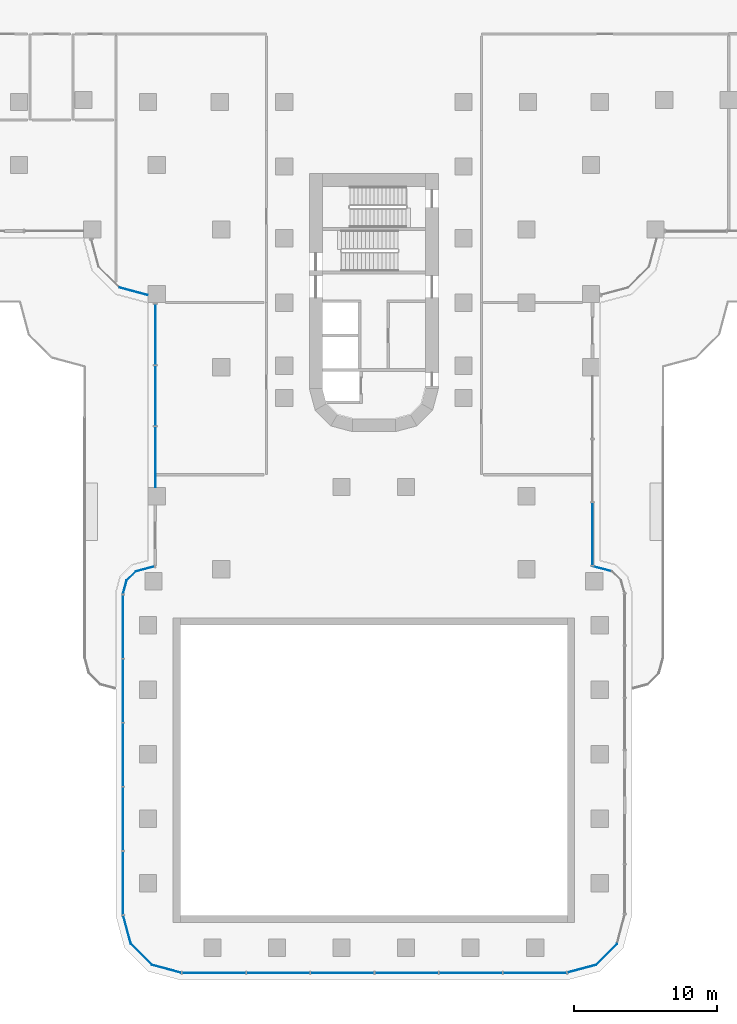
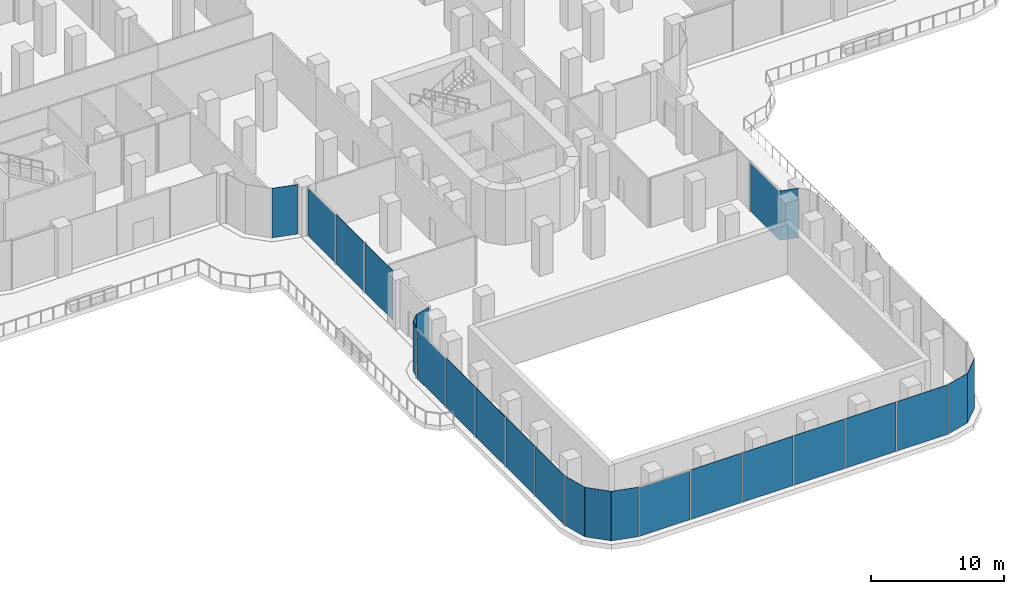
# One storey, part 10 of 27: 25 plates, 14 elements without a shape of their own.
"""IFC4 building model written with IfcOpenShell, lengths in metres."""

import ifcopenshell
import ifcopenshell.guid

model = None  # the IFC model being written
_history = None  # IfcOwnerHistory: only IFC2X3 demands one
_inside = {}  # id of a spatial element -> (the spatial element, [elements in it])
_under = {}  # id of a project, library or spatial element -> (it, [spatial elements below it])
_declared = {}  # id of a project -> (the project, [libraries it declares])
_typed = {}  # id of a type object -> (the type object, [elements of that type])
_made_of = {}  # id of a material, layer set ... -> (it, [elements and type objects made of it])


def new_model(schema):
    """Start an empty IFC model of exactly this schema.

    Asked for "IFC4X3", IfcOpenShell would pick the latest addendum, in which some entities
    have other attributes; the version numbers below select the first issue.
    IFC2X3 requires an IfcOwnerHistory on every rooted entity: one is made here for all.
    """
    global model, _history
    if schema == "IFC4X3":
        model = ifcopenshell.file(schema_version=(4, 3, 0, 0))
    else:
        model = ifcopenshell.file(schema=schema)
    _inside.clear()
    _under.clear()
    _declared.clear()
    _typed.clear()
    _made_of.clear()
    _history = None
    if model.schema == "IFC2X3":
        org = make("IfcOrganization", Name="unknown")
        user = make(
            "IfcPersonAndOrganization",
            ThePerson=make("IfcPerson", FamilyName="unknown"),
            TheOrganization=org,
        )
        app = make(
            "IfcApplication",
            ApplicationDeveloper=org,
            Version="unknown",
            ApplicationFullName="unknown",
            ApplicationIdentifier="unknown",
        )
        _history = make(
            "IfcOwnerHistory",
            OwningUser=user,
            OwningApplication=app,
            ChangeAction="ADDED",
            CreationDate=0,
        )
    return model


def make(cls, **values):
    """One entity of the class cls with the attributes given. An attribute that is None is left unset."""
    return model.create_entity(
        cls, **{name: value for name, value in values.items() if value is not None}
    )


def rooted(cls, **values):
    """An entity with a GlobalId (a new one), such as an element, a storey or a relation."""
    return make(cls, GlobalId=ifcopenshell.guid.new(), OwnerHistory=_history, **values)


def si_unit(unit_type, name, prefix=None):
    """IfcSIUnit, for example si_unit("LENGTHUNIT", "METRE", prefix="MILLI")."""
    return make("IfcSIUnit", UnitType=unit_type, Prefix=prefix, Name=name)


def assignment(units):
    """IfcUnitAssignment: the units of a project."""
    return None if units is None else make("IfcUnitAssignment", Units=units)


def point(xyz):
    """IfcCartesianPoint."""
    return None if xyz is None else make("IfcCartesianPoint", Coordinates=xyz)


def direction(xyz):
    """IfcDirection."""
    return None if xyz is None else make("IfcDirection", DirectionRatios=xyz)


def frame(location, z_axis=None, x_axis=None):
    """IfcAxis2Placement3D, a coordinate frame: its origin and axes. An axis left out is left unset."""
    return make(
        "IfcAxis2Placement3D",
        Location=point(location),
        Axis=direction(z_axis),
        RefDirection=direction(x_axis),
    )


def origin():
    """The frame at (0, 0, 0) with its axes left unset."""
    return frame((0.0, 0.0, 0.0))


def place(relative_to, where):
    """IfcLocalPlacement: puts the frame where relative to a parent placement (None: the world)."""
    return make(
        "IfcLocalPlacement", PlacementRelTo=relative_to, RelativePlacement=where
    )


def context(
    kind, dimensions, precision=None, world=None, true_north=None, identifier=None
):
    """IfcGeometricRepresentationContext, for example the 3D "Model" context."""
    return make(
        "IfcGeometricRepresentationContext",
        ContextIdentifier=identifier,
        ContextType=kind,
        CoordinateSpaceDimension=dimensions,
        Precision=precision,
        WorldCoordinateSystem=world,
        TrueNorth=true_north,
    )


def subcontext(parent, identifier, kind, view, scale=None):
    """IfcGeometricRepresentationSubContext, for example "Body" below "Model"."""
    return make(
        "IfcGeometricRepresentationSubContext",
        ContextIdentifier=identifier,
        ContextType=kind,
        ParentContext=parent,
        TargetScale=scale,
        TargetView=view,
    )


def project(units=None, contexts=None):
    """IfcProject with its units and contexts."""
    return rooted(
        "IfcProject",
        Name="project",
        RepresentationContexts=contexts,
        UnitsInContext=assignment(units),
    )


def spatial(cls, under=None, at=None, **own):
    """A site, building, storey or space (cls), placed at a placement, below another one or the project."""
    s = rooted(cls, ObjectPlacement=at, **own)
    if under is not None:
        _under.setdefault(under.id(), (under, []))[1].append(s)
    return s


def polyline(points):
    """IfcPolyline through the points."""
    return make("IfcPolyline", Points=[point(p) for p in points])


def outline(outer, holes=None, kind="AREA"):
    """IfcArbitraryClosedProfileDef: a profile drawn as a closed curve; with holes, ...WithVoids."""
    if holes is None:
        return make("IfcArbitraryClosedProfileDef", ProfileType=kind, OuterCurve=outer)
    return make(
        "IfcArbitraryProfileDefWithVoids",
        ProfileType=kind,
        OuterCurve=outer,
        InnerCurves=holes,
    )


def extrude(swept, where, along, depth):
    """IfcExtrudedAreaSolid: the profile swept, set in the frame where, extruded along a direction by depth."""
    return make(
        "IfcExtrudedAreaSolid",
        SweptArea=swept,
        Position=where,
        ExtrudedDirection=direction(along),
        Depth=depth,
    )


def shape(context_of_items, identifier, shape_type, items):
    """IfcShapeRepresentation: the items that make up one representation, for example the "Body"."""
    return make(
        "IfcShapeRepresentation",
        ContextOfItems=context_of_items,
        RepresentationIdentifier=identifier,
        RepresentationType=shape_type,
        Items=items,
    )


def source(mapping_origin, context_of_items, identifier, shape_type, items):
    """IfcRepresentationMap: a shape defined once, which mapped items show again and again."""
    return make(
        "IfcRepresentationMap",
        MappingOrigin=mapping_origin,
        MappedRepresentation=shape(context_of_items, identifier, shape_type, items),
    )


def transform(
    local_origin,
    x_axis=None,
    y_axis=None,
    z_axis=None,
    scale=None,
    scale2=None,
    scale3=None,
    uniform=True,
):
    """IfcCartesianTransformationOperator3D, or its non-uniform kind. x_axis, y_axis, z_axis: its Axis1, 2, 3."""
    if uniform:
        return make(
            "IfcCartesianTransformationOperator3D",
            Axis1=direction(x_axis),
            Axis2=direction(y_axis),
            LocalOrigin=point(local_origin),
            Scale=scale,
            Axis3=direction(z_axis),
        )
    return make(
        "IfcCartesianTransformationOperator3DnonUniform",
        Axis1=direction(x_axis),
        Axis2=direction(y_axis),
        LocalOrigin=point(local_origin),
        Scale=scale,
        Axis3=direction(z_axis),
        Scale2=scale2,
        Scale3=scale3,
    )


def mapped(mapping_source, mapping_target):
    """IfcMappedItem: shows the shape of a source again, moved by a transform."""
    return make(
        "IfcMappedItem", MappingSource=mapping_source, MappingTarget=mapping_target
    )


def material(Name=None, Category=None):
    """IfcMaterial."""
    return make("IfcMaterial", Name=Name, Category=Category)


def layer(
    of_material, thickness, ventilated=None, Name=None, Category=None, Priority=None
):
    """IfcMaterialLayer: one layer of a wall or slab, of a material (None: an air gap)."""
    return make(
        "IfcMaterialLayer",
        Material=of_material,
        LayerThickness=thickness,
        IsVentilated=ventilated,
        Name=Name,
        Category=Category,
        Priority=Priority,
    )


def layer_set(layers, Name=None):
    """IfcMaterialLayerSet."""
    return make("IfcMaterialLayerSet", MaterialLayers=layers, LayerSetName=Name)


def made_of(thing, what):
    """Note that an element or type object is made of a material, layer set ...; save() writes the relation."""
    if what is not None:
        _made_of.setdefault(what.id(), (what, []))[1].append(thing)
    return thing


def type_object(cls, material=None, **own):
    """A type object (cls), such as IfcWallType, which elements share."""
    return made_of(rooted(cls, **own), material)


def element(
    cls,
    number,
    at=None,
    inside=None,
    cuts=None,
    type_object=None,
    material=None,
    context=None,
    identifier="Body",
    shape_type=None,
    held_by="IfcProductDefinitionShape",
    body=None,
    shapes=None,
    **own,
):
    """One element of the class cls, such as IfcWall. Its Tag is "e" and its number.

    at: its placement. inside: the storey or other place that contains it. cuts: it is an
    opening in that element (IfcRelVoidsElement). A single representation is given by context,
    identifier, shape_type and body (its items); several are given by shapes. held_by: the class
    of the entity that holds the representations. save() writes the other relations.
    """
    e = rooted(cls, Tag="e%d" % number, ObjectPlacement=at, **own)
    if body is not None:
        shapes = [shape(context, identifier, shape_type, body)]
    if shapes is not None:
        e.Representation = make(held_by, Representations=shapes)
    if inside is not None:
        _inside.setdefault(inside.id(), (inside, []))[1].append(e)
    if cuts is not None:
        rooted(
            "IfcRelVoidsElement", RelatingBuildingElement=cuts, RelatedOpeningElement=e
        )
    if type_object is not None:
        _typed.setdefault(type_object.id(), (type_object, []))[1].append(e)
    return made_of(e, material)


def aggregate(whole, parts):
    """IfcRelAggregates: a whole, such as a stair, and the parts it consists of."""
    return rooted("IfcRelAggregates", RelatingObject=whole, RelatedObjects=parts)


def save(model, path):
    """Write the relations noted so far, then the file.

    IfcRelAggregates (storeys below a building ...), IfcRelContainedInSpatialStructure (elements
    in a storey), IfcRelDefinesByType, IfcRelAssociatesMaterial and IfcRelDeclares: one each for
    every whole, place, type object, material and project.
    """
    for whole, parts in _under.values():
        aggregate(whole, parts)
    for where, things in _inside.values():
        rooted(
            "IfcRelContainedInSpatialStructure",
            RelatedElements=things,
            RelatingStructure=where,
        )
    for kind, things in _typed.values():
        rooted("IfcRelDefinesByType", RelatedObjects=things, RelatingType=kind)
    for what, things in _made_of.values():
        rooted("IfcRelAssociatesMaterial", RelatedObjects=things, RelatingMaterial=what)
    for by, libraries in _declared.values():
        rooted("IfcRelDeclares", RelatingContext=by, RelatedDefinitions=libraries)
    model.write(path)


model = new_model("IFC4")

# Units and contexts
model_context = context("Model", 3, precision=1e-05, world=origin(), true_north=direction((0.0, 1.0)))
body_context = subcontext(model_context, "Body", "Model", "MODEL_VIEW")
ifc_project = project(units=[si_unit("LENGTHUNIT", "METRE"), si_unit("AREAUNIT", "SQUARE_METRE"), si_unit("VOLUMEUNIT", "CUBIC_METRE"), si_unit("PLANEANGLEUNIT", "RADIAN"), si_unit("MASSUNIT", "GRAM", prefix="KILO")], contexts=[model_context])

# Site, building, storey
site_placement = place(None, origin())
site = spatial("IfcSite", under=ifc_project, at=site_placement, CompositionType="ELEMENT")
building_placement = place(site_placement, origin())
building = spatial("IfcBuilding", under=site, at=building_placement, Name="Zarbagh Exchange Tower", CompositionType="ELEMENT")
storey_placement = place(building_placement, frame((0.0, 0.0, 17.0)))
storey = spatial("IfcBuildingStorey", under=building, at=storey_placement, Name="L03", CompositionType="ELEMENT", Elevation=17.0)

# Curtain wall, plate
ifc_material_1 = material(Name="Anodised aluminium frame and glazing", Category="aluminium")
curtain_wall_type_1 = type_object("IfcCurtainWallType", Name="CWD Exchange hall wall glazing", PredefinedType="NOTDEFINED", material=ifc_material_1)
curtain_wall_1_placement = place(storey_placement, origin())
curtain_wall_1 = element("IfcCurtainWall", 1, at=curtain_wall_1_placement, inside=storey, type_object=curtain_wall_type_1, Name="CWD06 curtain wall", PredefinedType="NOTDEFINED")
ifc_material_2 = material(Name="Low-e double glazed unit, 6+12+6 mm")
ifc_layer_1 = layer(ifc_material_2, 0.035888671875)
ifc_layer_set_1 = layer_set([ifc_layer_1], Name="PAD Glazing panel, Low-e double glazed unit, 6+12+6 mm")
plate_type_1 = type_object("IfcPlateType", Name="PAD Glazing panel, Low-e double glazed unit, 6+12+6 mm", PredefinedType="CURTAIN_PANEL", material=ifc_layer_set_1)
shared_shape_1 = source(origin(), body_context, "Body", "SweptSolid", [
    extrude(outline(polyline([(0.0, -0.01806640625), (2.049560546875, -0.01806640625), (2.049560546875, 0.01806640625), (0.0, 0.01806640625), (0.0, -0.01806640625)])), origin(), (0.0, 0.0, 1.0), 4.550048828125),
])
placement = place(storey_placement, origin())
plate_1 = element("IfcPlate", 2, at=placement, type_object=plate_type_1, Name="CWD06 glazing panel 1.1", PredefinedType="CURTAIN_PANEL", context=body_context, shape_type="MappedRepresentation", body=[
    mapped(shared_shape_1, transform((-17.479248046875, -63.011474609375, 0.0), x_axis=(0.258824779902, -0.965924289636, 0.0), y_axis=(0.965924289636, 0.258824779902, 0.0), z_axis=(0.0, 0.0, 1.0))),
])
aggregate(curtain_wall_1, [plate_1])

curtain_wall_2_placement = place(storey_placement, origin())
curtain_wall_2 = element("IfcCurtainWall", 3, at=curtain_wall_2_placement, inside=storey, type_object=curtain_wall_type_1, Name="CWD01 curtain wall", PredefinedType="NOTDEFINED")
plate_2 = element("IfcPlate", 4, at=placement, type_object=plate_type_1, Name="CWD01 glazing panel 1.1", PredefinedType="CURTAIN_PANEL", context=body_context, shape_type="MappedRepresentation", body=[
    mapped(shared_shape_1, transform((13.511474609375, -66.979248046875, 0.0), x_axis=(0.965924289636, 0.258824779902, 0.0), y_axis=(-0.258824779902, 0.965924289636, 0.0), z_axis=(0.0, 0.0, 1.0))),
])
aggregate(curtain_wall_2, [plate_2])

curtain_wall_3_placement = place(storey_placement, origin())
curtain_wall_3 = element("IfcCurtainWall", 5, at=curtain_wall_3_placement, inside=storey, type_object=curtain_wall_type_1, Name="CWD07 curtain wall", PredefinedType="NOTDEFINED")
shared_shape_2 = source(origin(), body_context, "Body", "SweptSolid", [
    extrude(outline(polyline([(0.0, -0.01806640625), (2.061279296875, -0.01806640625), (2.061279296875, 0.01806640625), (0.0, 0.01806640625), (0.0, -0.01806640625)])), origin(), (0.0, 0.0, 1.0), 4.550048828125),
])
plate_3 = element("IfcPlate", 6, at=placement, type_object=plate_type_1, Name="CWD07 glazing panel 1.1", PredefinedType="CURTAIN_PANEL", context=body_context, shape_type="MappedRepresentation", body=[
    mapped(shared_shape_2, transform((-16.94873046875, -64.9912109375, 0.0), x_axis=(0.707106781187, -0.707106781187, 0.0), y_axis=(0.707106781187, 0.707106781187, 0.0), z_axis=(0.0, 0.0, 1.0))),
])
aggregate(curtain_wall_3, [plate_3])

curtain_wall_4_placement = place(storey_placement, origin())
curtain_wall_4 = element("IfcCurtainWall", 7, at=curtain_wall_4_placement, inside=storey, type_object=curtain_wall_type_1, Name="CWD02 curtain wall", PredefinedType="NOTDEFINED")
plate_4 = element("IfcPlate", 8, at=placement, type_object=plate_type_1, Name="CWD02 glazing panel 1.1", PredefinedType="CURTAIN_PANEL", context=body_context, shape_type="MappedRepresentation", body=[
    mapped(shared_shape_2, transform((15.4912109375, -66.44873046875, 0.0), x_axis=(0.707106781187, 0.707106781187, 0.0), y_axis=(-0.707106781187, 0.707106781187, 0.0), z_axis=(0.0, 0.0, 1.0))),
])
aggregate(curtain_wall_4, [plate_4])

curtain_wall_5_placement = place(storey_placement, origin())
curtain_wall_5 = element("IfcCurtainWall", 9, at=curtain_wall_5_placement, inside=storey, type_object=curtain_wall_type_1, Name="CWD08 curtain wall", PredefinedType="NOTDEFINED")
shared_shape_3 = source(origin(), body_context, "Body", "SweptSolid", [
    extrude(outline(polyline([(0.0, -0.01806640625), (2.129638671875, -0.01806640625), (2.129638671875, 0.01806640625), (0.0, 0.01806640625), (0.0, -0.01806640625)])), origin(), (0.0, 0.0, 1.0), 4.550048828125),
])
plate_5 = element("IfcPlate", 10, at=placement, type_object=plate_type_1, Name="CWD08 glazing panel 1.1", PredefinedType="CURTAIN_PANEL", context=body_context, shape_type="MappedRepresentation", body=[
    mapped(shared_shape_3, transform((-15.4912109375, -66.44873046875, 0.0), x_axis=(0.965924289636, -0.258824779902, 0.0), y_axis=(0.258824779902, 0.965924289636, 0.0), z_axis=(0.0, 0.0, 1.0))),
])
aggregate(curtain_wall_5, [plate_5])

curtain_wall_type_2 = type_object("IfcCurtainWallType", Name="CWC Podium garden-wall glazing", PredefinedType="NOTDEFINED", material=ifc_material_1)
curtain_wall_6_placement = place(storey_placement, origin())
curtain_wall_6 = element("IfcCurtainWall", 11, at=curtain_wall_6_placement, inside=storey, type_object=curtain_wall_type_2, Name="CWC185 curtain wall", PredefinedType="NOTDEFINED")
ifc_layer_2 = layer(ifc_material_2, 0.031982421875)
ifc_layer_set_2 = layer_set([ifc_layer_2], Name="PAC Glazing panel, Low-e double glazed unit, 6+12+6 mm")
plate_type_2 = type_object("IfcPlateType", Name="PAC Glazing panel, Low-e double glazed unit, 6+12+6 mm", PredefinedType="CURTAIN_PANEL", material=ifc_layer_set_2)
shared_shape_4 = source(origin(), body_context, "Body", "SweptSolid", [
    extrude(outline(polyline([(0.0, -0.01611328125), (2.02001953125, -0.01611328125), (2.02001953125, 0.01611328125), (0.0, 0.01611328125), (0.0, -0.01611328125)])), origin(), (0.0, 0.0, 1.0), 4.550048828125),
])
plate_6 = element("IfcPlate", 12, at=placement, type_object=plate_type_2, Name="CWC185 glazing panel 1.1", PredefinedType="CURTAIN_PANEL", context=body_context, shape_type="MappedRepresentation", body=[
    mapped(shared_shape_4, transform((-17.7412109375, -19.19873046875, 0.0), x_axis=(0.965924289636, -0.258824779902, 0.0), y_axis=(0.258824779902, 0.965924289636, 0.0), z_axis=(0.0, 0.0, 1.0))),
])
aggregate(curtain_wall_6, [plate_6])

# Curtain wall, plates
curtain_wall_7_placement = place(storey_placement, origin())
curtain_wall_7 = element("IfcCurtainWall", 13, at=curtain_wall_7_placement, inside=storey, type_object=curtain_wall_type_2, Name="CWC186 curtain wall", PredefinedType="NOTDEFINED")
shared_shape_5 = source(origin(), body_context, "Body", "SweptSolid", [
    extrude(outline(polyline([(0.0, -0.01611328125), (4.193359375, -0.01611328125), (4.193359375, 0.01611328125), (0.0, 0.01611328125), (0.0, -0.01611328125)])), origin(), (0.0, 0.0, 1.0), 4.469970703125),
])
plate_7 = element("IfcPlate", 14, at=placement, type_object=plate_type_2, Name="CWC186 glazing panel 1.1", PredefinedType="CURTAIN_PANEL", context=body_context, shape_type="MappedRepresentation", body=[
    mapped(shared_shape_5, transform((-15.25, -20.3701171875, 0.0), x_axis=(0.0, -1.0, 0.0), y_axis=(1.0, 0.0, 0.0), z_axis=(0.0, 0.0, 1.0))),
])
shared_shape_6 = source(origin(), body_context, "Body", "SweptSolid", [
    extrude(outline(polyline([(0.0, -0.01611328125), (4.193359375, -0.01611328125), (4.193359375, 0.01611328125), (0.0, 0.01611328125), (0.0, -0.01611328125)])), origin(), (0.0, 0.0, 1.0), 4.550048828125),
])
plate_8 = element("IfcPlate", 15, at=placement, type_object=plate_type_2, Name="CWC186 glazing panel 1.2", PredefinedType="CURTAIN_PANEL", context=body_context, shape_type="MappedRepresentation", body=[
    mapped(shared_shape_6, transform((-15.25, -24.643310546875, 0.0), x_axis=(0.0, -1.0, 0.0), y_axis=(1.0, 0.0, 0.0), z_axis=(0.0, 0.0, 1.0))),
])
plate_9 = element("IfcPlate", 16, at=placement, type_object=plate_type_2, Name="CWC186 glazing panel 1.3", PredefinedType="CURTAIN_PANEL", context=body_context, shape_type="MappedRepresentation", body=[
    mapped(shared_shape_6, transform((-15.25, -28.916748046875, 0.0), x_axis=(0.0, -1.0, 0.0), y_axis=(1.0, 0.0, 0.0), z_axis=(0.0, 0.0, 1.0))),
])
aggregate(curtain_wall_7, [plate_7, plate_8, plate_9])

curtain_wall_8_placement = place(storey_placement, origin())
curtain_wall_8 = element("IfcCurtainWall", 17, at=curtain_wall_8_placement, inside=storey, type_object=curtain_wall_type_1, Name="CWD09 curtain wall", PredefinedType="NOTDEFINED")
shared_shape_7 = source(origin(), body_context, "Body", "SweptSolid", [
    extrude(outline(polyline([(0.0, -0.01806640625), (4.39794921875, -0.01806640625), (4.39794921875, 0.01806640625), (0.0, 0.01806640625), (0.0, -0.01806640625)])), origin(), (0.0, 0.0, 1.0), 4.469970703125),
])
plate_10 = element("IfcPlate", 18, at=placement, type_object=plate_type_1, Name="CWD09 glazing panel 1.1", PredefinedType="CURTAIN_PANEL", context=body_context, shape_type="MappedRepresentation", body=[
    mapped(shared_shape_7, transform((-13.354248046875, -67.0, 0.0), x_axis=(1.0, 0.0, 0.0), y_axis=(0.0, 1.0, 0.0), z_axis=(0.0, 0.0, 1.0))),
])
shared_shape_8 = source(origin(), body_context, "Body", "SweptSolid", [
    extrude(outline(polyline([(0.0, -0.01806640625), (4.39794921875, -0.01806640625), (4.39794921875, 0.01806640625), (0.0, 0.01806640625), (0.0, -0.01806640625)])), origin(), (0.0, 0.0, 1.0), 4.550048828125),
])
plate_11 = element("IfcPlate", 19, at=placement, type_object=plate_type_1, Name="CWD09 glazing panel 1.2", PredefinedType="CURTAIN_PANEL", context=body_context, shape_type="MappedRepresentation", body=[
    mapped(shared_shape_8, transform((-8.876220703125, -67.0, 0.0), x_axis=(1.0, 0.0, 0.0), y_axis=(0.0, 1.0, 0.0), z_axis=(0.0, 0.0, 1.0))),
])
plate_12 = element("IfcPlate", 20, at=placement, type_object=plate_type_1, Name="CWD09 glazing panel 1.3", PredefinedType="CURTAIN_PANEL", context=body_context, shape_type="MappedRepresentation", body=[
    mapped(shared_shape_8, transform((-4.398193359375, -67.0, 0.0), x_axis=(1.0, 0.0, 0.0), y_axis=(0.0, 1.0, 0.0), z_axis=(0.0, 0.0, 1.0))),
])
plate_13 = element("IfcPlate", 21, at=placement, type_object=plate_type_1, Name="CWD09 glazing panel 1.4", PredefinedType="CURTAIN_PANEL", context=body_context, shape_type="MappedRepresentation", body=[
    mapped(shared_shape_8, transform((0.080078125, -67.0, 0.0), x_axis=(1.0, 0.0, 0.0), y_axis=(0.0, 1.0, 0.0), z_axis=(0.0, 0.0, 1.0))),
])
plate_14 = element("IfcPlate", 22, at=placement, type_object=plate_type_1, Name="CWD09 glazing panel 1.5", PredefinedType="CURTAIN_PANEL", context=body_context, shape_type="MappedRepresentation", body=[
    mapped(shared_shape_8, transform((4.55810546875, -67.0, 0.0), x_axis=(1.0, 0.0, 0.0), y_axis=(0.0, 1.0, 0.0), z_axis=(0.0, 0.0, 1.0))),
])
plate_15 = element("IfcPlate", 23, at=placement, type_object=plate_type_1, Name="CWD09 glazing panel 1.6", PredefinedType="CURTAIN_PANEL", context=body_context, shape_type="MappedRepresentation", body=[
    mapped(shared_shape_8, transform((9.0361328125, -67.0, 0.0), x_axis=(1.0, 0.0, 0.0), y_axis=(0.0, 1.0, 0.0), z_axis=(0.0, 0.0, 1.0))),
])
aggregate(curtain_wall_8, [plate_10, plate_11, plate_12, plate_13, plate_14, plate_15])

# Curtain wall, plate
curtain_wall_9_placement = place(storey_placement, origin())
curtain_wall_9 = element("IfcCurtainWall", 24, at=curtain_wall_9_placement, inside=storey, type_object=curtain_wall_type_1, Name="CWD19 curtain wall", PredefinedType="NOTDEFINED")
shared_shape_9 = source(origin(), body_context, "Body", "SweptSolid", [
    extrude(outline(polyline([(0.0, -0.01806640625), (0.896728515625, -0.01806640625), (0.896728515625, 0.01806640625), (0.0, 0.01806640625), (0.0, -0.01806640625)])), origin(), (0.0, 0.0, 1.0), 4.550048828125),
])
plate_16 = element("IfcPlate", 25, at=placement, type_object=plate_type_1, Name="CWD19 glazing panel 1.1", PredefinedType="CURTAIN_PANEL", context=body_context, shape_type="MappedRepresentation", body=[
    mapped(shared_shape_9, transform((-16.6162109375, -38.999755859375, 0.0), x_axis=(-0.707106781187, -0.707106781187, 0.0), y_axis=(0.707106781187, -0.707106781187, 0.0), z_axis=(0.0, 0.0, 1.0))),
])
aggregate(curtain_wall_9, [plate_16])

curtain_wall_10_placement = place(storey_placement, origin())
curtain_wall_10 = element("IfcCurtainWall", 26, at=curtain_wall_10_placement, inside=storey, type_object=curtain_wall_type_1, Name="CWD17 curtain wall", PredefinedType="NOTDEFINED")
shared_shape_10 = source(origin(), body_context, "Body", "SweptSolid", [
    extrude(outline(polyline([(0.0, -0.01806640625), (1.414306640625, -0.01806640625), (1.414306640625, 0.01806640625), (0.0, 0.01806640625), (0.0, -0.01806640625)])), origin(), (0.0, 0.0, 1.0), 4.550048828125),
])
plate_17 = element("IfcPlate", 27, at=placement, type_object=plate_type_1, Name="CWD17 glazing panel 1.1", PredefinedType="CURTAIN_PANEL", context=body_context, shape_type="MappedRepresentation", body=[
    mapped(shared_shape_10, transform((16.6162109375, -38.999755859375, 0.0), x_axis=(-0.965935021701, 0.25878472492, 0.0), y_axis=(-0.25878472492, -0.965935021701, 0.0), z_axis=(0.0, 0.0, 1.0))),
])
aggregate(curtain_wall_10, [plate_17])

curtain_wall_11_placement = place(storey_placement, origin())
curtain_wall_11 = element("IfcCurtainWall", 28, at=curtain_wall_11_placement, inside=storey, type_object=curtain_wall_type_2, Name="CWC146 curtain wall", PredefinedType="NOTDEFINED")
shared_shape_11 = source(origin(), body_context, "Body", "SweptSolid", [
    extrude(outline(polyline([(0.0, -0.01611328125), (4.33447265625, -0.01611328125), (4.33447265625, 0.01611328125), (0.0, 0.01611328125), (0.0, -0.01611328125)])), origin(), (0.0, 0.0, 1.0), 4.469970703125),
])
plate_18 = element("IfcPlate", 29, at=placement, type_object=plate_type_2, Name="CWC146 glazing panel 1.1", PredefinedType="CURTAIN_PANEL", context=body_context, shape_type="MappedRepresentation", body=[
    mapped(shared_shape_11, transform((15.25, -38.5537109375, 0.0), x_axis=(0.0, 1.0, 0.0), y_axis=(-1.0, 0.0, 0.0), z_axis=(0.0, 0.0, 1.0))),
])
aggregate(curtain_wall_11, [plate_18])

curtain_wall_12_placement = place(storey_placement, origin())
curtain_wall_12 = element("IfcCurtainWall", 30, at=curtain_wall_12_placement, inside=storey, type_object=curtain_wall_type_1, Name="CWD18 curtain wall", PredefinedType="NOTDEFINED")
shared_shape_12 = source(origin(), body_context, "Body", "SweptSolid", [
    extrude(outline(polyline([(0.0, -0.01806640625), (1.33447265625, -0.01806640625), (1.33447265625, 0.01806640625), (0.0, 0.01806640625), (0.0, -0.01806640625)])), origin(), (0.0, 0.0, 1.0), 4.550048828125),
])
plate_19 = element("IfcPlate", 31, at=placement, type_object=plate_type_1, Name="CWD18 glazing panel 1.1", PredefinedType="CURTAIN_PANEL", context=body_context, shape_type="MappedRepresentation", body=[
    mapped(shared_shape_12, transform((-15.327392578125, -38.654296875, 0.0), x_axis=(-0.965935021701, -0.25878472492, 0.0), y_axis=(0.25878472492, -0.965935021701, 0.0), z_axis=(0.0, 0.0, 1.0))),
])
aggregate(curtain_wall_12, [plate_19])

curtain_wall_13_placement = place(storey_placement, origin())
curtain_wall_13 = element("IfcCurtainWall", 32, at=curtain_wall_13_placement, inside=storey, type_object=curtain_wall_type_1, Name="CWD20 curtain wall", PredefinedType="NOTDEFINED")
shared_shape_13 = source(origin(), body_context, "Body", "SweptSolid", [
    extrude(outline(polyline([(0.0, -0.01806640625), (0.96484375, -0.01806640625), (0.96484375, 0.01806640625), (0.0, 0.01806640625), (0.0, -0.01806640625)])), origin(), (0.0, 0.0, 1.0), 4.550048828125),
])
plate_20 = element("IfcPlate", 33, at=placement, type_object=plate_type_1, Name="CWD20 glazing panel 1.1", PredefinedType="CURTAIN_PANEL", context=body_context, shape_type="MappedRepresentation", body=[
    mapped(shared_shape_13, transform((-17.250244140625, -39.6337890625, 0.0), x_axis=(-0.25878472492, -0.965935021701, 0.0), y_axis=(0.965935021701, -0.25878472492, 0.0), z_axis=(0.0, 0.0, 1.0))),
])
aggregate(curtain_wall_13, [plate_20])

# Curtain wall, plates
curtain_wall_14_placement = place(storey_placement, origin())
curtain_wall_14 = element("IfcCurtainWall", 34, at=curtain_wall_14_placement, inside=storey, type_object=curtain_wall_type_1, Name="CWD21 curtain wall", PredefinedType="NOTDEFINED")
shared_shape_14 = source(origin(), body_context, "Body", "SweptSolid", [
    extrude(outline(polyline([(0.0, -0.01806640625), (4.393798828125, -0.01806640625), (4.393798828125, 0.01806640625), (0.0, 0.01806640625), (0.0, -0.01806640625)])), origin(), (0.0, 0.0, 1.0), 4.469970703125),
])
plate_21 = element("IfcPlate", 35, at=placement, type_object=plate_type_1, Name="CWD21 glazing panel 1.1", PredefinedType="CURTAIN_PANEL", context=body_context, shape_type="MappedRepresentation", body=[
    mapped(shared_shape_14, transform((-17.5, -40.645751953125, 0.0), x_axis=(0.0, -1.0, 0.0), y_axis=(1.0, 0.0, 0.0), z_axis=(0.0, 0.0, 1.0))),
])
shared_shape_15 = source(origin(), body_context, "Body", "SweptSolid", [
    extrude(outline(polyline([(0.0, -0.01806640625), (4.393798828125, -0.01806640625), (4.393798828125, 0.01806640625), (0.0, 0.01806640625), (0.0, -0.01806640625)])), origin(), (0.0, 0.0, 1.0), 4.550048828125),
])
plate_22 = element("IfcPlate", 36, at=placement, type_object=plate_type_1, Name="CWD21 glazing panel 1.2", PredefinedType="CURTAIN_PANEL", context=body_context, shape_type="MappedRepresentation", body=[
    mapped(shared_shape_15, transform((-17.5, -45.119384765625, 0.0), x_axis=(0.0, -1.0, 0.0), y_axis=(1.0, 0.0, 0.0), z_axis=(0.0, 0.0, 1.0))),
])
plate_23 = element("IfcPlate", 37, at=placement, type_object=plate_type_1, Name="CWD21 glazing panel 1.3", PredefinedType="CURTAIN_PANEL", context=body_context, shape_type="MappedRepresentation", body=[
    mapped(shared_shape_15, transform((-17.5, -49.59326171875, 0.0), x_axis=(0.0, -1.0, 0.0), y_axis=(1.0, 0.0, 0.0), z_axis=(0.0, 0.0, 1.0))),
])
plate_24 = element("IfcPlate", 38, at=placement, type_object=plate_type_1, Name="CWD21 glazing panel 1.4", PredefinedType="CURTAIN_PANEL", context=body_context, shape_type="MappedRepresentation", body=[
    mapped(shared_shape_15, transform((-17.5, -54.06689453125, 0.0), x_axis=(0.0, -1.0, 0.0), y_axis=(1.0, 0.0, 0.0), z_axis=(0.0, 0.0, 1.0))),
])
plate_25 = element("IfcPlate", 39, at=placement, type_object=plate_type_1, Name="CWD21 glazing panel 1.5", PredefinedType="CURTAIN_PANEL", context=body_context, shape_type="MappedRepresentation", body=[
    mapped(shared_shape_15, transform((-17.5, -58.54052734375, 0.0), x_axis=(0.0, -1.0, 0.0), y_axis=(1.0, 0.0, 0.0), z_axis=(0.0, 0.0, 1.0))),
])
aggregate(curtain_wall_14, [plate_21, plate_22, plate_23, plate_24, plate_25])

save(model, "model.ifc")
